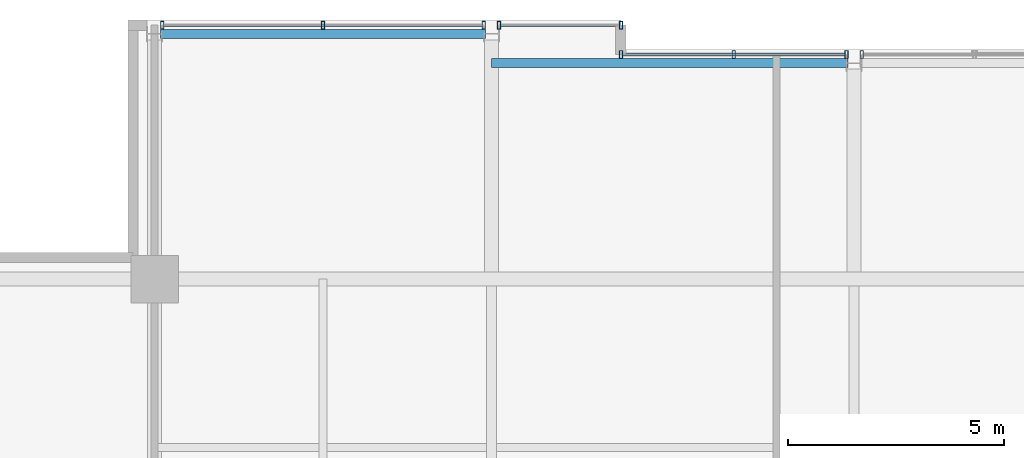
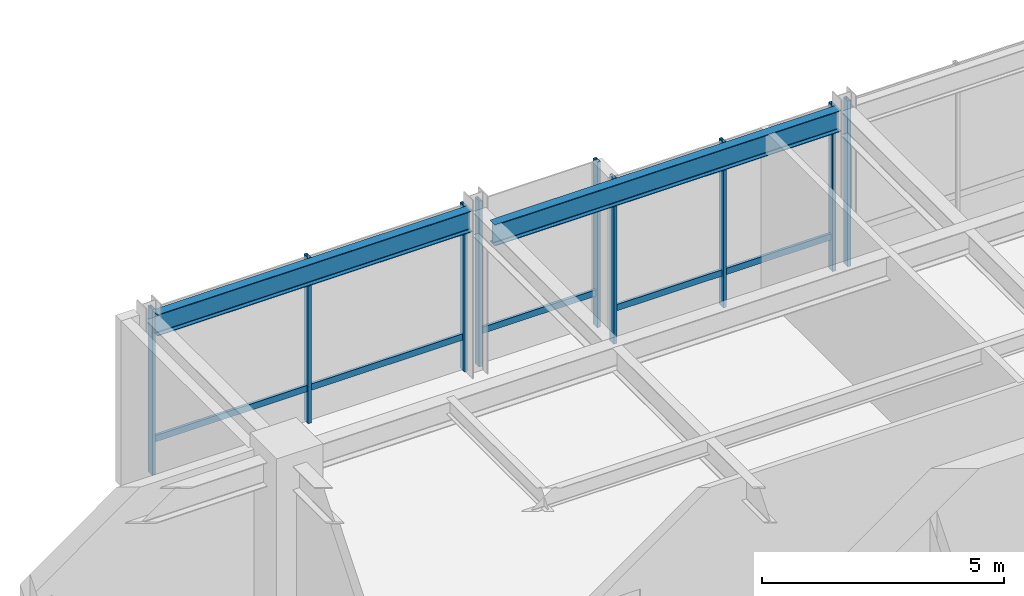
# One storey, part 21 of 32: 12 members, 2 beams, 4 elements without a shape of their own.
"""IFC4 building model written with IfcOpenShell, lengths in metres."""

import ifcopenshell
import ifcopenshell.guid

model = None  # the IFC model being written
_history = None  # IfcOwnerHistory: only IFC2X3 demands one
_inside = {}  # id of a spatial element -> (the spatial element, [elements in it])
_under = {}  # id of a project, library or spatial element -> (it, [spatial elements below it])
_declared = {}  # id of a project -> (the project, [libraries it declares])
_typed = {}  # id of a type object -> (the type object, [elements of that type])
_made_of = {}  # id of a material, layer set ... -> (it, [elements and type objects made of it])


def new_model(schema):
    """Start an empty IFC model of exactly this schema.

    Asked for "IFC4X3", IfcOpenShell would pick the latest addendum, in which some entities
    have other attributes; the version numbers below select the first issue.
    IFC2X3 requires an IfcOwnerHistory on every rooted entity: one is made here for all.
    """
    global model, _history
    if schema == "IFC4X3":
        model = ifcopenshell.file(schema_version=(4, 3, 0, 0))
    else:
        model = ifcopenshell.file(schema=schema)
    _inside.clear()
    _under.clear()
    _declared.clear()
    _typed.clear()
    _made_of.clear()
    _history = None
    if model.schema == "IFC2X3":
        org = make("IfcOrganization", Name="unknown")
        user = make(
            "IfcPersonAndOrganization",
            ThePerson=make("IfcPerson", FamilyName="unknown"),
            TheOrganization=org,
        )
        app = make(
            "IfcApplication",
            ApplicationDeveloper=org,
            Version="unknown",
            ApplicationFullName="unknown",
            ApplicationIdentifier="unknown",
        )
        _history = make(
            "IfcOwnerHistory",
            OwningUser=user,
            OwningApplication=app,
            ChangeAction="ADDED",
            CreationDate=0,
        )
    return model


def make(cls, **values):
    """One entity of the class cls with the attributes given. An attribute that is None is left unset."""
    return model.create_entity(
        cls, **{name: value for name, value in values.items() if value is not None}
    )


def rooted(cls, **values):
    """An entity with a GlobalId (a new one), such as an element, a storey or a relation."""
    return make(cls, GlobalId=ifcopenshell.guid.new(), OwnerHistory=_history, **values)


def si_unit(unit_type, name, prefix=None):
    """IfcSIUnit, for example si_unit("LENGTHUNIT", "METRE", prefix="MILLI")."""
    return make("IfcSIUnit", UnitType=unit_type, Prefix=prefix, Name=name)


def assignment(units):
    """IfcUnitAssignment: the units of a project."""
    return None if units is None else make("IfcUnitAssignment", Units=units)


def point(xyz):
    """IfcCartesianPoint."""
    return None if xyz is None else make("IfcCartesianPoint", Coordinates=xyz)


def direction(xyz):
    """IfcDirection."""
    return None if xyz is None else make("IfcDirection", DirectionRatios=xyz)


def frame(location, z_axis=None, x_axis=None):
    """IfcAxis2Placement3D, a coordinate frame: its origin and axes. An axis left out is left unset."""
    return make(
        "IfcAxis2Placement3D",
        Location=point(location),
        Axis=direction(z_axis),
        RefDirection=direction(x_axis),
    )


def frame_2d(location, x_axis=None):
    """IfcAxis2Placement2D, a coordinate frame in the plane: its origin and x axis."""
    return make(
        "IfcAxis2Placement2D", Location=point(location), RefDirection=direction(x_axis)
    )


def origin():
    """The frame at (0, 0, 0) with its axes left unset."""
    return frame((0.0, 0.0, 0.0))


def origin_2d():
    """The frame at (0, 0) in the plane with its x axis left unset."""
    return frame_2d((0.0, 0.0))


def place(relative_to, where):
    """IfcLocalPlacement: puts the frame where relative to a parent placement (None: the world)."""
    return make(
        "IfcLocalPlacement", PlacementRelTo=relative_to, RelativePlacement=where
    )


def context(
    kind, dimensions, precision=None, world=None, true_north=None, identifier=None
):
    """IfcGeometricRepresentationContext, for example the 3D "Model" context."""
    return make(
        "IfcGeometricRepresentationContext",
        ContextIdentifier=identifier,
        ContextType=kind,
        CoordinateSpaceDimension=dimensions,
        Precision=precision,
        WorldCoordinateSystem=world,
        TrueNorth=true_north,
    )


def subcontext(parent, identifier, kind, view, scale=None):
    """IfcGeometricRepresentationSubContext, for example "Body" below "Model"."""
    return make(
        "IfcGeometricRepresentationSubContext",
        ContextIdentifier=identifier,
        ContextType=kind,
        ParentContext=parent,
        TargetScale=scale,
        TargetView=view,
    )


def project(units=None, contexts=None):
    """IfcProject with its units and contexts."""
    return rooted(
        "IfcProject",
        Name="project",
        RepresentationContexts=contexts,
        UnitsInContext=assignment(units),
    )


def spatial(cls, under=None, at=None, **own):
    """A site, building, storey or space (cls), placed at a placement, below another one or the project."""
    s = rooted(cls, ObjectPlacement=at, **own)
    if under is not None:
        _under.setdefault(under.id(), (under, []))[1].append(s)
    return s


def profile(cls, at=None, kind="AREA", **sizes):
    """A parametric profile (cls). Its sizes go by their IFC names, for example OverallWidth=200.0."""
    return make(cls, ProfileType=kind, Position=at, **sizes)


def hollow_rectangle(**sizes):
    """IfcRectangleHollowProfileDef."""
    return profile("IfcRectangleHollowProfileDef", **sizes)


def i_section(**sizes):
    """IfcIShapeProfileDef."""
    return profile("IfcIShapeProfileDef", **sizes)


def extrude(swept, where, along, depth):
    """IfcExtrudedAreaSolid: the profile swept, set in the frame where, extruded along a direction by depth."""
    return make(
        "IfcExtrudedAreaSolid",
        SweptArea=swept,
        Position=where,
        ExtrudedDirection=direction(along),
        Depth=depth,
    )


def shape(context_of_items, identifier, shape_type, items):
    """IfcShapeRepresentation: the items that make up one representation, for example the "Body"."""
    return make(
        "IfcShapeRepresentation",
        ContextOfItems=context_of_items,
        RepresentationIdentifier=identifier,
        RepresentationType=shape_type,
        Items=items,
    )


def material(Name=None, Category=None):
    """IfcMaterial."""
    return make("IfcMaterial", Name=Name, Category=Category)


def layer(
    of_material, thickness, ventilated=None, Name=None, Category=None, Priority=None
):
    """IfcMaterialLayer: one layer of a wall or slab, of a material (None: an air gap)."""
    return make(
        "IfcMaterialLayer",
        Material=of_material,
        LayerThickness=thickness,
        IsVentilated=ventilated,
        Name=Name,
        Category=Category,
        Priority=Priority,
    )


def layer_set(layers, Name=None):
    """IfcMaterialLayerSet."""
    return make("IfcMaterialLayerSet", MaterialLayers=layers, LayerSetName=Name)


def material_profile(
    of_material, cross_section, Name=None, Category=None, Priority=None
):
    """IfcMaterialProfile: a cross section and its material."""
    return make(
        "IfcMaterialProfile",
        Name=Name,
        Material=of_material,
        Profile=cross_section,
        Priority=Priority,
        Category=Category,
    )


def profile_set(profiles, Name=None, composite=None):
    """IfcMaterialProfileSet."""
    return make(
        "IfcMaterialProfileSet",
        Name=Name,
        MaterialProfiles=profiles,
        CompositeProfile=composite,
    )


def made_of(thing, what):
    """Note that an element or type object is made of a material, layer set ...; save() writes the relation."""
    if what is not None:
        _made_of.setdefault(what.id(), (what, []))[1].append(thing)
    return thing


def type_object(cls, material=None, **own):
    """A type object (cls), such as IfcWallType, which elements share."""
    return made_of(rooted(cls, **own), material)


def element(
    cls,
    number,
    at=None,
    inside=None,
    cuts=None,
    type_object=None,
    material=None,
    context=None,
    identifier="Body",
    shape_type=None,
    held_by="IfcProductDefinitionShape",
    body=None,
    shapes=None,
    **own,
):
    """One element of the class cls, such as IfcWall. Its Tag is "e" and its number.

    at: its placement. inside: the storey or other place that contains it. cuts: it is an
    opening in that element (IfcRelVoidsElement). A single representation is given by context,
    identifier, shape_type and body (its items); several are given by shapes. held_by: the class
    of the entity that holds the representations. save() writes the other relations.
    """
    e = rooted(cls, Tag="e%d" % number, ObjectPlacement=at, **own)
    if body is not None:
        shapes = [shape(context, identifier, shape_type, body)]
    if shapes is not None:
        e.Representation = make(held_by, Representations=shapes)
    if inside is not None:
        _inside.setdefault(inside.id(), (inside, []))[1].append(e)
    if cuts is not None:
        rooted(
            "IfcRelVoidsElement", RelatingBuildingElement=cuts, RelatedOpeningElement=e
        )
    if type_object is not None:
        _typed.setdefault(type_object.id(), (type_object, []))[1].append(e)
    return made_of(e, material)


def aggregate(whole, parts):
    """IfcRelAggregates: a whole, such as a stair, and the parts it consists of."""
    return rooted("IfcRelAggregates", RelatingObject=whole, RelatedObjects=parts)


def save(model, path):
    """Write the relations noted so far, then the file.

    IfcRelAggregates (storeys below a building ...), IfcRelContainedInSpatialStructure (elements
    in a storey), IfcRelDefinesByType, IfcRelAssociatesMaterial and IfcRelDeclares: one each for
    every whole, place, type object, material and project.
    """
    for whole, parts in _under.values():
        aggregate(whole, parts)
    for where, things in _inside.values():
        rooted(
            "IfcRelContainedInSpatialStructure",
            RelatedElements=things,
            RelatingStructure=where,
        )
    for kind, things in _typed.values():
        rooted("IfcRelDefinesByType", RelatedObjects=things, RelatingType=kind)
    for what, things in _made_of.values():
        rooted("IfcRelAssociatesMaterial", RelatedObjects=things, RelatingMaterial=what)
    for by, libraries in _declared.values():
        rooted("IfcRelDeclares", RelatingContext=by, RelatedDefinitions=libraries)
    model.write(path)


model = new_model("IFC4")

# Units and contexts
model_context = context("Model", 3, precision=1e-05, world=origin(), true_north=direction((0.0, 1.0)))
body_context = subcontext(model_context, "Body", "Model", "MODEL_VIEW")
ifc_project = project(units=[si_unit("LENGTHUNIT", "METRE"), si_unit("AREAUNIT", "SQUARE_METRE"), si_unit("VOLUMEUNIT", "CUBIC_METRE"), si_unit("PLANEANGLEUNIT", "RADIAN"), si_unit("MASSUNIT", "GRAM", prefix="KILO")], contexts=[model_context])

# Site, building, storey
site_placement = place(None, origin())
site = spatial("IfcSite", under=ifc_project, at=site_placement, CompositionType="ELEMENT")
building_placement = place(site_placement, origin())
building = spatial("IfcBuilding", under=site, at=building_placement, Name="Drelvath Grand Hotel", CompositionType="ELEMENT")
storey_placement = place(building_placement, frame((0.0, 0.0, 255.5)))
storey = spatial("IfcBuildingStorey", under=building, at=storey_placement, Name="L67", CompositionType="ELEMENT", Elevation=255.5)

# Curtain wall, member
ifc_material_1 = material(Name="Platinum-Mist Anodised Aluminium Frame", Category="aluminium")
ifc_layer = layer(ifc_material_1, 0.199951171875)
ifc_layer_set = layer_set([ifc_layer], Name="Platinum-Mist Anodised Aluminium Frame")
curtain_wall_type = type_object("IfcCurtainWallType", Name="Stick Curtain Wall CW-05 Platinum Mist High-Rise", PredefinedType="NOTDEFINED", material=ifc_layer_set)
curtain_wall_1_placement = place(storey_placement, origin())
curtain_wall_1 = element("IfcCurtainWall", 1, at=curtain_wall_1_placement, inside=storey, type_object=curtain_wall_type, Name="L67 CW-05 Curtain Wall CW05-L67-NW2", PredefinedType="NOTDEFINED")
ifc_material_profile_1 = material_profile(ifc_material_1, hollow_rectangle(XDim=0.06494140625, YDim=0.159912109375, WallThickness=0.00390625, at=origin_2d()), Name="HSS160X65X4")
ifc_profile_set_1 = profile_set([ifc_material_profile_1], Name="Platinum-Mist Anodised Aluminium Frame")
member_type_1 = type_object("IfcMemberType", Name="Curtain Wall Horizontal Transom CW-05 HSS160X65X4", PredefinedType="USERDEFINED", material=ifc_profile_set_1)
member_1_placement = place(storey_placement, frame((-15.981689453125, 49.080078125, 0.85009765625), z_axis=(1.0, 0.0, 0.0), x_axis=(0.0, 1.0, 0.0)))
member_1 = element("IfcMember", 2, at=member_1_placement, type_object=member_type_1, Name="CW05-L67-NW2 Sill Transom", ObjectType="TRANSOM", PredefinedType="USERDEFINED", context=body_context, shape_type="SweptSolid", body=[
    extrude(hollow_rectangle(XDim=0.06494140625, YDim=0.159912109375, WallThickness=0.00390625, at=origin_2d()), origin(), (0.0, 0.0, 1.0), 7.363525390625),
])

curtain_wall_2_placement = place(storey_placement, origin())
curtain_wall_2 = element("IfcCurtainWall", 3, at=curtain_wall_2_placement, inside=storey, type_object=curtain_wall_type, Name="L67 CW-05 Curtain Wall CW05-L67-NW3", PredefinedType="NOTDEFINED")
member_2_placement = place(storey_placement, frame((-8.181884765625, 49.080078125, 0.85009765625), z_axis=(1.0, 0.0, 0.0), x_axis=(0.0, 1.0, 0.0)))
member_2 = element("IfcMember", 4, at=member_2_placement, type_object=member_type_1, Name="CW05-L67-NW3 Sill Transom", ObjectType="TRANSOM", PredefinedType="USERDEFINED", context=body_context, shape_type="SweptSolid", body=[
    extrude(hollow_rectangle(XDim=0.06494140625, YDim=0.159912109375, WallThickness=0.00390625, at=origin_2d()), origin(), (0.0, 0.0, 1.0), 2.741943359375),
])

curtain_wall_3_placement = place(storey_placement, origin())
curtain_wall_3 = element("IfcCurtainWall", 5, at=curtain_wall_3_placement, inside=storey, type_object=curtain_wall_type, Name="L67 CW-05 Curtain Wall CW05-L67-NM1", PredefinedType="NOTDEFINED")
member_3_placement = place(storey_placement, frame((-5.360107421875, 48.39990234375, 0.85009765625), z_axis=(1.0, 0.0, 0.0), x_axis=(0.0, 1.0, 0.0)))
member_3 = element("IfcMember", 6, at=member_3_placement, type_object=member_type_1, Name="CW05-L67-NM1 Sill Transom", ObjectType="TRANSOM", PredefinedType="USERDEFINED", context=body_context, shape_type="SweptSolid", body=[
    extrude(hollow_rectangle(XDim=0.06494140625, YDim=0.159912109375, WallThickness=0.00390625, at=origin_2d()), origin(), (0.0, 0.0, 1.0), 5.141845703125),
])

# Member
ifc_material_profile_2 = material_profile(ifc_material_1, hollow_rectangle(XDim=0.074951171875, YDim=0.179931640625, WallThickness=0.0048828125, at=origin_2d()), Name="HSS180X75X5")
ifc_profile_set_2 = profile_set([ifc_material_profile_2], Name="Platinum-Mist Anodised Aluminium Frame")
member_type_2 = type_object("IfcMemberType", Name="Curtain Wall Vertical Mullion CW-05 HSS180X75X5", PredefinedType="MULLION", material=ifc_profile_set_2)
member_4_placement = place(storey_placement, frame((-16.021728515625, 49.080078125, 0.0), z_axis=(0.0, 0.0, 1.0), x_axis=(1.0, 0.0, 0.0)))
member_4 = element("IfcMember", 7, at=member_4_placement, type_object=member_type_2, Name="CW05-L67-NW2 Mullion 1", PredefinedType="MULLION", context=body_context, shape_type="SweptSolid", body=[
    extrude(hollow_rectangle(XDim=0.074951171875, YDim=0.179931640625, WallThickness=0.0048828125, at=origin_2d()), origin(), (0.0, 0.0, 1.0), 4.179931640625),
])

member_5_placement = place(storey_placement, frame((-12.300048828125, 49.080078125, 0.0), z_axis=(0.0, 0.0, 1.0), x_axis=(1.0, 0.0, 0.0)))
member_5 = element("IfcMember", 8, at=member_5_placement, type_object=member_type_2, Name="CW05-L67-NW2 Mullion 2", PredefinedType="MULLION", context=body_context, shape_type="SweptSolid", body=[
    extrude(hollow_rectangle(XDim=0.074951171875, YDim=0.179931640625, WallThickness=0.0048828125, at=origin_2d()), origin(), (0.0, 0.0, 1.0), 4.179931640625),
])

member_6_placement = place(storey_placement, frame((-8.578125, 49.080078125, 0.0), z_axis=(0.0, 0.0, 1.0), x_axis=(1.0, 0.0, 0.0)))
member_6 = element("IfcMember", 9, at=member_6_placement, type_object=member_type_2, Name="CW05-L67-NW2 Mullion 3", PredefinedType="MULLION", context=body_context, shape_type="SweptSolid", body=[
    extrude(hollow_rectangle(XDim=0.074951171875, YDim=0.179931640625, WallThickness=0.0048828125, at=origin_2d()), origin(), (0.0, 0.0, 1.0), 4.179931640625),
])

aggregate(curtain_wall_1, [member_4, member_5, member_6, member_1])

member_7_placement = place(storey_placement, frame((-8.2216796875, 49.080078125, 0.0), z_axis=(0.0, 0.0, 1.0), x_axis=(1.0, 0.0, 0.0)))
member_7 = element("IfcMember", 10, at=member_7_placement, type_object=member_type_2, Name="CW05-L67-NW3 Mullion 1", PredefinedType="MULLION", context=body_context, shape_type="SweptSolid", body=[
    extrude(hollow_rectangle(XDim=0.074951171875, YDim=0.179931640625, WallThickness=0.0048828125, at=origin_2d()), origin(), (0.0, 0.0, 1.0), 4.179931640625),
])

member_8_placement = place(storey_placement, frame((-5.39990234375, 49.080078125, 0.0), z_axis=(0.0, 0.0, 1.0), x_axis=(1.0, 0.0, 0.0)))
member_8 = element("IfcMember", 11, at=member_8_placement, type_object=member_type_2, Name="CW05-L67-NW3 Mullion 2", PredefinedType="MULLION", context=body_context, shape_type="SweptSolid", body=[
    extrude(hollow_rectangle(XDim=0.074951171875, YDim=0.179931640625, WallThickness=0.0048828125, at=origin_2d()), origin(), (0.0, 0.0, 1.0), 4.179931640625),
])

aggregate(curtain_wall_2, [member_7, member_8, member_2])

member_9_placement = place(storey_placement, frame((-5.39990234375, 48.39990234375, 0.0), z_axis=(0.0, 0.0, 1.0), x_axis=(1.0, 0.0, 0.0)))
member_9 = element("IfcMember", 12, at=member_9_placement, type_object=member_type_2, Name="CW05-L67-NM1 Mullion 1", PredefinedType="MULLION", context=body_context, shape_type="SweptSolid", body=[
    extrude(hollow_rectangle(XDim=0.074951171875, YDim=0.179931640625, WallThickness=0.0048828125, at=origin_2d()), origin(), (0.0, 0.0, 1.0), 4.179931640625),
])

member_10_placement = place(storey_placement, frame((-2.7890625, 48.39990234375, 0.0), z_axis=(0.0, 0.0, 1.0), x_axis=(1.0, 0.0, 0.0)))
member_10 = element("IfcMember", 13, at=member_10_placement, type_object=member_type_2, Name="CW05-L67-NM1 Mullion 2", PredefinedType="MULLION", context=body_context, shape_type="SweptSolid", body=[
    extrude(hollow_rectangle(XDim=0.074951171875, YDim=0.179931640625, WallThickness=0.0048828125, at=origin_2d()), origin(), (0.0, 0.0, 1.0), 4.179931640625),
])

member_11_placement = place(storey_placement, frame((-0.17822265625, 48.39990234375, 0.0), z_axis=(0.0, 0.0, 1.0), x_axis=(1.0, 0.0, 0.0)))
member_11 = element("IfcMember", 14, at=member_11_placement, type_object=member_type_2, Name="CW05-L67-NM1 Mullion 3", PredefinedType="MULLION", context=body_context, shape_type="SweptSolid", body=[
    extrude(hollow_rectangle(XDim=0.074951171875, YDim=0.179931640625, WallThickness=0.0048828125, at=origin_2d()), origin(), (0.0, 0.0, 1.0), 4.179931640625),
])

aggregate(curtain_wall_3, [member_9, member_10, member_11, member_3])

# Curtain wall, member
curtain_wall_4_placement = place(storey_placement, origin())
curtain_wall_4 = element("IfcCurtainWall", 15, at=curtain_wall_4_placement, inside=storey, type_object=curtain_wall_type, Name="L67 CW-05 Curtain Wall CW05-L67-NM2", PredefinedType="NOTDEFINED")
member_12_placement = place(storey_placement, frame((0.17822265625, 48.39990234375, 0.0), z_axis=(0.0, 0.0, 1.0), x_axis=(1.0, 0.0, 0.0)))
member_12 = element("IfcMember", 16, at=member_12_placement, type_object=member_type_2, Name="CW05-L67-NM2 Mullion 1", PredefinedType="MULLION", context=body_context, shape_type="SweptSolid", body=[
    extrude(hollow_rectangle(XDim=0.074951171875, YDim=0.179931640625, WallThickness=0.0048828125, at=origin_2d()), origin(), (0.0, 0.0, 1.0), 4.179931640625),
])
aggregate(curtain_wall_4, [member_12])

# Beams
ifc_material_2 = material(Name="Steel ASTM A992 Gr 50", Category="steel")
ifc_material_profile_3 = material_profile(ifc_material_2, i_section(OverallWidth=0.210205078125, OverallDepth=0.53662109375, WebThickness=0.010986328125, FlangeThickness=0.017333984375, FilletRadius=0.01806640625, at=origin_2d()), Name="W21X68")
ifc_profile_set_3 = profile_set([ifc_material_profile_3], Name="Steel ASTM A992 Gr 50")
beam_type = type_object("IfcBeamType", Name="Perimeter Spandrel Beam W21X68", PredefinedType="SPANDREL", material=ifc_profile_set_3)
beam_1_placement = place(storey_placement, frame((-16.06005859375, 48.8798828125, 3.91162109375), z_axis=(1.0, 0.0, 0.0), x_axis=(0.0, 1.0, 0.0)))
element("IfcBeam", 17, at=beam_1_placement, inside=storey, type_object=beam_type, Name="L67 Spandrel North W", PredefinedType="SPANDREL", context=body_context, shape_type="SweptSolid", body=[
    extrude(i_section(OverallWidth=0.210205078125, OverallDepth=0.53662109375, WebThickness=0.010986328125, FlangeThickness=0.017333984375, FilletRadius=0.01806640625, at=origin_2d()), origin(), (0.0, 0.0, 1.0), 7.52001953125),
])
beam_2_placement = place(storey_placement, frame((-8.39990234375, 48.199951171875, 3.91162109375), z_axis=(1.0, 0.0, 0.0), x_axis=(0.0, 1.0, 0.0)))
element("IfcBeam", 18, at=beam_2_placement, inside=storey, type_object=beam_type, Name="L67 Spandrel North Mid W", PredefinedType="SPANDREL", context=body_context, shape_type="SweptSolid", body=[
    extrude(i_section(OverallWidth=0.210205078125, OverallDepth=0.53662109375, WebThickness=0.010986328125, FlangeThickness=0.017333984375, FilletRadius=0.01806640625, at=origin_2d()), origin(), (0.0, 0.0, 1.0), 8.260009765625),
])

save(model, "model.ifc")
